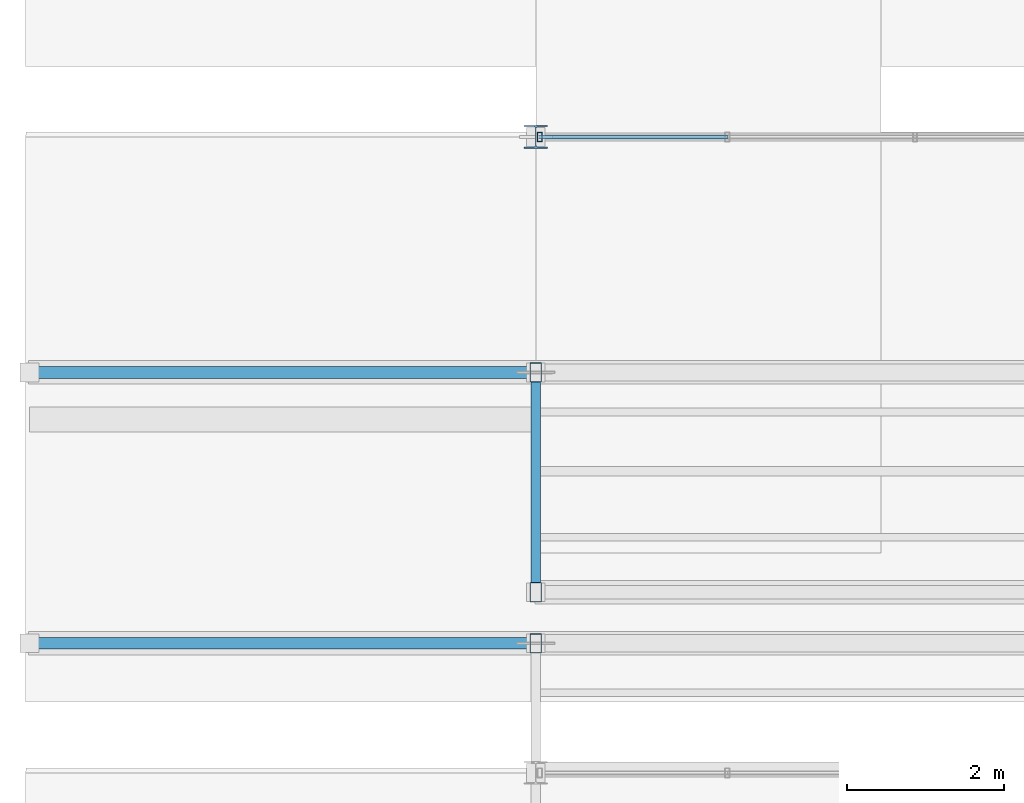
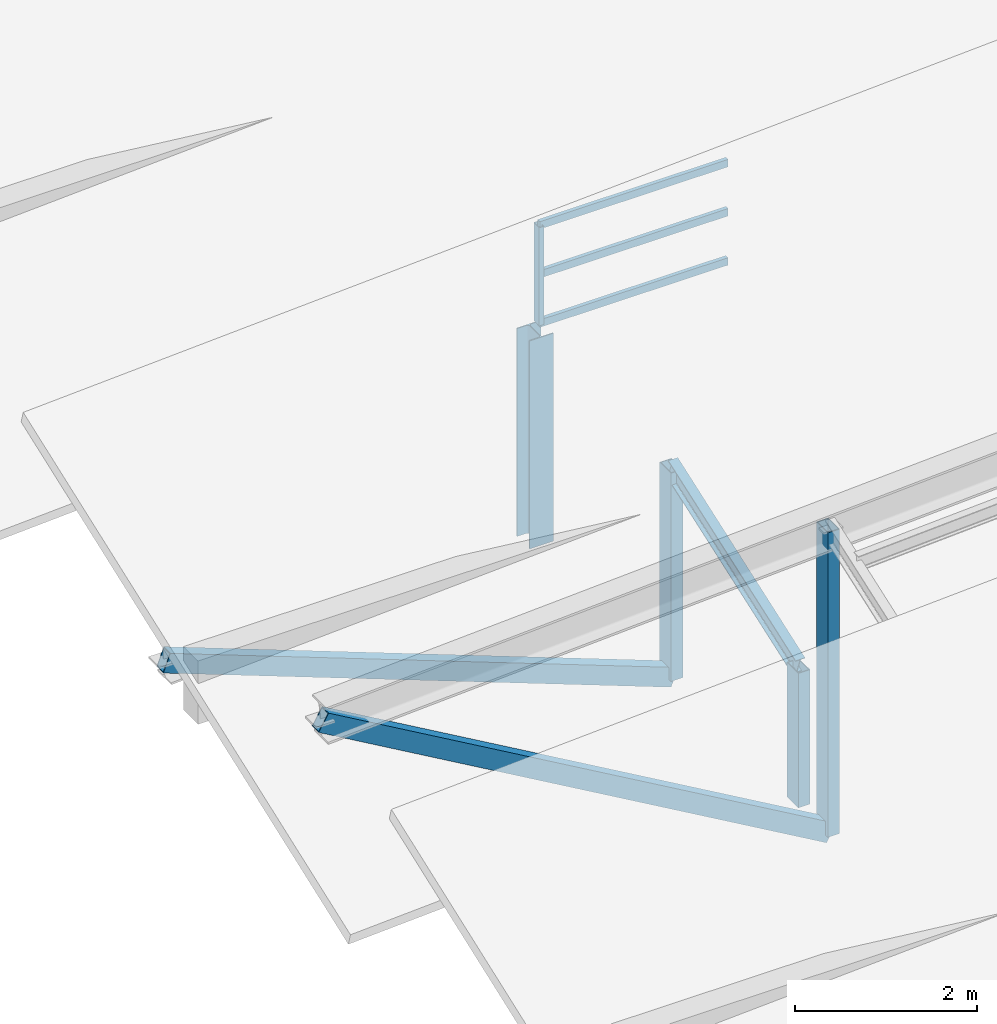
# One storey, part 2 of 141: 11 members, 1 element without a shape of its own.
"""IFC4 building model written with IfcOpenShell, lengths in metres."""

from ifc_helpers import new_model, si_unit, direction, frame, origin, origin_2d, place, context, subcontext, project, spatial, hollow_rectangle, i_section, extrude, material, material_profile, profile_set, type_object, element, aggregate, save


model = new_model("IFC4")

# Units and contexts
model_context = context("Model", 3, precision=1e-05, world=origin(), true_north=direction((0.0, 1.0)))
body_context = subcontext(model_context, "Body", "Model", "MODEL_VIEW")
ifc_project = project(units=[si_unit("LENGTHUNIT", "METRE"), si_unit("AREAUNIT", "SQUARE_METRE"), si_unit("VOLUMEUNIT", "CUBIC_METRE"), si_unit("PLANEANGLEUNIT", "RADIAN"), si_unit("MASSUNIT", "GRAM", prefix="KILO")], contexts=[model_context])

# Site, building, storey
site_placement = place(None, origin())
site = spatial("IfcSite", under=ifc_project, at=site_placement, CompositionType="ELEMENT")
building_placement = place(site_placement, origin())
building = spatial("IfcBuilding", under=site, at=building_placement, Name="Sundkrona Museum", CompositionType="ELEMENT")
storey_placement = place(building_placement, frame((0.0, 0.0, 34.0)))
storey = spatial("IfcBuildingStorey", under=building, at=storey_placement, Name="RF", CompositionType="ELEMENT", Elevation=34.0)

# Member
ifc_material_1 = material(Name="Steel S355J2", Category="steel")
ifc_material_profile_1 = material_profile(ifc_material_1, i_section(OverallWidth=0.300048828125, OverallDepth=0.2900390625, WebThickness=0.008544921875, FlangeThickness=0.013916015625, FilletRadius=0.027099609375, at=origin_2d()), Name="HEA 300")
ifc_profile_set_1 = profile_set([ifc_material_profile_1], Name="Steel S355J2")
member_type_1 = type_object("IfcMemberType", Name="BR-HEA300", PredefinedType="BRACE", material=ifc_profile_set_1)
member_1_placement = place(storey_placement, frame((120.0, 10.300048828125, -0.25), z_axis=(0.0, 0.0, 1.0), x_axis=(1.0, 0.0, 0.0)))
element("IfcMember", 1, at=member_1_placement, inside=storey, type_object=member_type_1, Name="RFS-1 Sawtooth Bay 2 Clerestory Corner Post W", PredefinedType="BRACE", context=body_context, shape_type="SweptSolid", body=[
    extrude(i_section(OverallWidth=0.300048828125, OverallDepth=0.2900390625, WebThickness=0.008544921875, FlangeThickness=0.013916015625, FilletRadius=0.027099609375, at=origin_2d()), origin(), (0.0, 0.0, 1.0), 2.79296875),
])

# Curtain wall, member
ifc_material_2 = material(Name="Unitised Aluminium-Steel and Ceramic-Clad Curtain Walling", Category="steel")
curtain_wall_type = type_object("IfcCurtainWallType", Name="CW-SW-240x13", PredefinedType="NOTDEFINED", material=ifc_material_2)
curtain_wall_placement = place(storey_placement, origin())
curtain_wall = element("IfcCurtainWall", 2, at=curtain_wall_placement, inside=storey, type_object=curtain_wall_type, Name="Sawtooth Bay 2 West North-Light Clerestory", PredefinedType="NOTDEFINED")
ifc_material_3 = material(Name="Aluminium EN AW-6060 T66", Category="aluminium")
ifc_material_profile_2 = material_profile(ifc_material_3, hollow_rectangle(XDim=0.06005859375, YDim=0.1201171875, WallThickness=0.0048828125, at=origin_2d()), Name="RHS 120x60x5.0")
ifc_profile_set_2 = profile_set([ifc_material_profile_2], Name="Aluminium EN AW-6060 T66")
member_type_2 = type_object("IfcMemberType", Name="ML-120", PredefinedType="MULLION", material=ifc_profile_set_2)
member_2_placement = place(storey_placement, frame((120.050048828125, 10.300048828125, 2.633056640625), z_axis=(0.0, 0.0, 1.0), x_axis=(1.0, 0.0, 0.0)))
member_2 = element("IfcMember", 3, at=member_2_placement, type_object=member_type_2, Name="CW-RF-SAW-02W Mullion 01", PredefinedType="MULLION", context=body_context, shape_type="SweptSolid", body=[
    extrude(hollow_rectangle(XDim=0.06005859375, YDim=0.1201171875, WallThickness=0.0048828125, at=origin_2d()), origin(), (0.0, 0.0, 1.0), 1.31982421875),
])

# Members
ifc_material_profile_3 = material_profile(ifc_material_1, i_section(OverallWidth=0.1201171875, OverallDepth=0.239990234375, WebThickness=0.006103515625, FlangeThickness=0.009765625, FilletRadius=0.014892578125, at=origin_2d()), Name="IPE 240")
ifc_profile_set_3 = profile_set([ifc_material_profile_3], Name="Steel S355J2")
member_type_3 = type_object("IfcMemberType", Name="PR-IPE240", PredefinedType="PURLIN", material=ifc_profile_set_3)
member_3_placement = place(storey_placement, frame((120.0, 4.5, 1.556884765625), z_axis=(0.0, 0.942729033287, 0.333559544605), x_axis=(-1.0, 0.0, 0.0)))
element("IfcMember", 4, at=member_3_placement, inside=storey, type_object=member_type_3, Name="RFS-1 Sawtooth Bay 2 Transverse Rafter 1", PredefinedType="PURLIN", context=body_context, shape_type="SweptSolid", body=[
    extrude(i_section(OverallWidth=0.1201171875, OverallDepth=0.239990234375, WebThickness=0.006103515625, FlangeThickness=0.009765625, FilletRadius=0.014892578125, at=origin_2d()), origin(), (0.0, 0.0, 1.0), 2.97021484375),
])
ifc_material_profile_4 = material_profile(ifc_material_1, hollow_rectangle(XDim=0.14990234375, YDim=0.25, WallThickness=0.010009765625, at=origin_2d()), Name="RHS 250x150x10.0")
ifc_profile_set_4 = profile_set([ifc_material_profile_4], Name="Steel S355J2")
member_type_4 = type_object("IfcMemberType", Name="ST-RHS250", PredefinedType="STRUT", material=ifc_profile_set_4)
member_4_placement = place(storey_placement, frame((120.0, 3.85009765625, -0.25), z_axis=(-0.865088313315, 0.0, 0.501619587103), x_axis=(0.0, -1.0, 0.0)))
element("IfcMember", 5, at=member_4_placement, inside=storey, type_object=member_type_4, Name="RFS-1 Sawtooth Truss 1 West Knee Strut", PredefinedType="STRUT", context=body_context, shape_type="SweptSolid", body=[
    extrude(hollow_rectangle(XDim=0.14990234375, YDim=0.25, WallThickness=0.010009765625, at=origin_2d()), origin(), (0.0, 0.0, 1.0), 7.455810546875),
])
member_5_placement = place(storey_placement, frame((120.0, 3.85009765625, -0.25), z_axis=(0.0, 0.0, 1.0), x_axis=(1.0, 0.0, 0.0)))
element("IfcMember", 6, at=member_5_placement, inside=storey, type_object=member_type_4, Name="RFS-1 Sawtooth Truss 1 Vertical Post 1", PredefinedType="STRUT", context=body_context, shape_type="SweptSolid", body=[
    extrude(hollow_rectangle(XDim=0.14990234375, YDim=0.25, WallThickness=0.010009765625, at=origin_2d()), origin(), (0.0, 0.0, 1.0), 4.0888671875),
])
member_6_placement = place(storey_placement, frame((120.0, 7.300048828125, -0.25), z_axis=(-0.934903617241, 0.0, 0.354901713816), x_axis=(0.0, -1.0, 0.0)))
element("IfcMember", 7, at=member_6_placement, inside=storey, type_object=member_type_4, Name="RFS-1 Sawtooth Truss 2 West Knee Strut", PredefinedType="STRUT", context=body_context, shape_type="SweptSolid", body=[
    extrude(hollow_rectangle(XDim=0.14990234375, YDim=0.25, WallThickness=0.010009765625, at=origin_2d()), origin(), (0.0, 0.0, 1.0), 6.899169921875),
])
member_7_placement = place(storey_placement, frame((120.0, 7.300048828125, -0.25), z_axis=(0.0, 0.0, 1.0), x_axis=(1.0, 0.0, 0.0)))
element("IfcMember", 8, at=member_7_placement, inside=storey, type_object=member_type_4, Name="RFS-1 Sawtooth Truss 2 Vertical Post 1", PredefinedType="STRUT", context=body_context, shape_type="SweptSolid", body=[
    extrude(hollow_rectangle(XDim=0.14990234375, YDim=0.25, WallThickness=0.010009765625, at=origin_2d()), origin(), (0.0, 0.0, 1.0), 2.797607421875),
])
member_8_placement = place(storey_placement, frame((120.0, 4.5, -0.25), z_axis=(0.0, 0.0, 1.0), x_axis=(1.0, 0.0, 0.0)))
element("IfcMember", 9, at=member_8_placement, inside=storey, type_object=member_type_4, Name="RFS-1 Sawtooth Bay 2 Valley Post 1", PredefinedType="STRUT", context=body_context, shape_type="SweptSolid", body=[
    extrude(hollow_rectangle(XDim=0.14990234375, YDim=0.25, WallThickness=0.010009765625, at=origin_2d()), origin(), (0.0, 0.0, 1.0), 1.806884765625),
])

# Member
ifc_material_profile_5 = material_profile(ifc_material_3, hollow_rectangle(XDim=0.050048828125, YDim=0.10009765625, WallThickness=0.0048828125, at=origin_2d()), Name="RHS 100x50x5.0")
ifc_profile_set_5 = profile_set([ifc_material_profile_5], Name="Aluminium EN AW-6060 T66")
member_type_5 = type_object("IfcMemberType", Name="TR-100", PredefinedType="USERDEFINED", material=ifc_profile_set_5)
member_9_placement = place(storey_placement, frame((120.050048828125, 10.300048828125, 2.633056640625), z_axis=(1.0, 0.0, 0.0), x_axis=(0.0, 1.0, 0.0)))
member_9 = element("IfcMember", 10, at=member_9_placement, type_object=member_type_5, Name="CW-RF-SAW-02W Transom 01", ObjectType="TRANSOM", PredefinedType="USERDEFINED", context=body_context, shape_type="SweptSolid", body=[
    extrude(hollow_rectangle(XDim=0.050048828125, YDim=0.10009765625, WallThickness=0.0048828125, at=origin_2d()), origin(), (0.0, 0.0, 1.0), 2.389892578125),
])

member_10_placement = place(storey_placement, frame((120.050048828125, 10.300048828125, 3.29296875), z_axis=(1.0, 0.0, 0.0), x_axis=(0.0, 1.0, 0.0)))
member_10 = element("IfcMember", 11, at=member_10_placement, type_object=member_type_5, Name="CW-RF-SAW-02W Transom 02", ObjectType="TRANSOM", PredefinedType="USERDEFINED", context=body_context, shape_type="SweptSolid", body=[
    extrude(hollow_rectangle(XDim=0.050048828125, YDim=0.10009765625, WallThickness=0.0048828125, at=origin_2d()), origin(), (0.0, 0.0, 1.0), 2.389892578125),
])

member_11_placement = place(storey_placement, frame((120.050048828125, 10.300048828125, 3.952880859375), z_axis=(1.0, 0.0, 0.0), x_axis=(0.0, 1.0, 0.0)))
member_11 = element("IfcMember", 12, at=member_11_placement, type_object=member_type_5, Name="CW-RF-SAW-02W Transom 03", ObjectType="TRANSOM", PredefinedType="USERDEFINED", context=body_context, shape_type="SweptSolid", body=[
    extrude(hollow_rectangle(XDim=0.050048828125, YDim=0.10009765625, WallThickness=0.0048828125, at=origin_2d()), origin(), (0.0, 0.0, 1.0), 2.389892578125),
])

aggregate(curtain_wall, [member_2, member_9, member_10, member_11])

save(model, "model.ifc")
